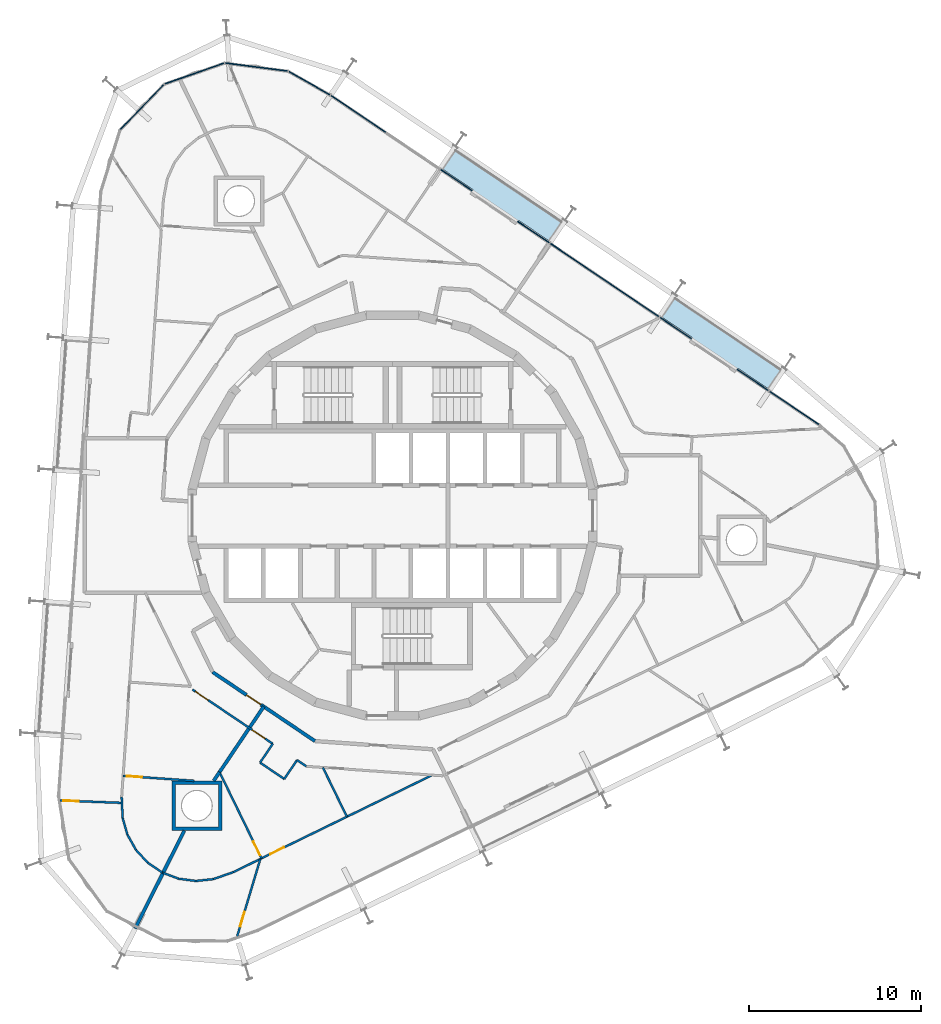
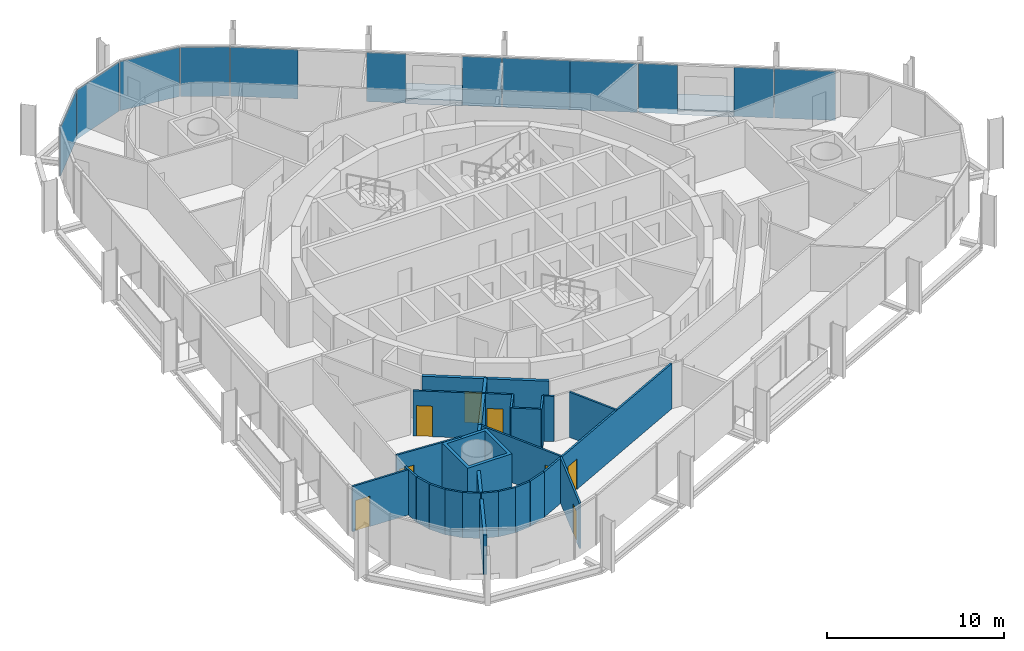
# One storey, part 11 of 18: 25 walls, 12 plates, 8 doors, 2 slabs, 8 openings, 3 elements without a shape of their own.
"""IFC4 building model written with IfcOpenShell, lengths in metres."""

from ifc_helpers import new_model, si_unit, direction, frame, frame_2d, origin, origin_2d, place, context, subcontext, project, spatial, polyline, rectangle, outline, extrude, material, layer, layer_set, type_object, element, fill, aggregate, save


model = new_model("IFC4")

# Units and contexts
model_context = context("Model", 3, precision=1e-05, world=origin(), true_north=direction((0.0, 1.0)))
body_context = subcontext(model_context, "Body", "Model", "MODEL_VIEW")
ifc_project = project(units=[si_unit("LENGTHUNIT", "METRE"), si_unit("AREAUNIT", "SQUARE_METRE"), si_unit("VOLUMEUNIT", "CUBIC_METRE"), si_unit("PLANEANGLEUNIT", "RADIAN"), si_unit("MASSUNIT", "GRAM", prefix="KILO")], contexts=[model_context])

# Site, building, storey
site_placement = place(None, origin())
site = spatial("IfcSite", under=ifc_project, at=site_placement, CompositionType="ELEMENT")
building_placement = place(site_placement, origin())
building = spatial("IfcBuilding", under=site, at=building_placement, Name="Spindle Arch Residences", CompositionType="ELEMENT")
storey_placement = place(building_placement, frame((0.0, 0.0, 198.89990234375)))
storey = spatial("IfcBuildingStorey", under=building, at=storey_placement, Name="L50", CompositionType="ELEMENT", Elevation=198.89990234375)

# Slabs
ifc_material_1 = material(Name="Concrete C40/50", Category="concrete")
ifc_layer_1 = layer(ifc_material_1, 0.3798828125)
ifc_layer_set_1 = layer_set([ifc_layer_1], Name="Balcony slab 380")
slab_type = type_object("IfcSlabType", Name="Balcony slab 380", PredefinedType="FLOOR", material=ifc_layer_set_1)
slab_1_placement = place(storey_placement, frame((0.0, 0.0, -0.3798828125)))
element("IfcSlab", 1, at=slab_1_placement, inside=storey, type_object=slab_type, Name="Balcony L50 bay 6", PredefinedType="FLOOR", context=body_context, shape_type="SweptSolid", body=[
    extrude(outline(polyline([(22.720703125, 8.594970703125), (22.658447265625, 8.63671875), (22.57470703125, 8.512451171875), (16.445068359375, 12.64697265625), (16.52880859375, 12.771240234375), (16.466796875, 12.813232421875), (15.633544921875, 11.578125), (17.43408203125, 10.363525390625), (17.344482421875, 10.23095703125), (19.99755859375, 8.44140625), (20.0869140625, 8.57421875), (21.887451171875, 7.359619140625), (22.720703125, 8.594970703125)])), origin(), (0.0, 0.0, 1.0), 0.3798828125),
])
slab_2_placement = place(storey_placement, frame((0.0, 0.0, -0.3798828125)))
element("IfcSlab", 2, at=slab_2_placement, inside=storey, type_object=slab_type, Name="Balcony L50 bay 8", PredefinedType="FLOOR", context=body_context, shape_type="SweptSolid", body=[
    extrude(outline(polyline([(9.9638671875, 17.199462890625), (9.90185546875, 17.241455078125), (9.81787109375, 17.116943359375), (3.688232421875, 21.25146484375), (3.772216796875, 21.3759765625), (3.7099609375, 21.417724609375), (2.876708984375, 20.1826171875), (4.67724609375, 18.968017578125), (4.587890625, 18.83544921875), (7.24072265625, 17.0458984375), (7.330322265625, 17.1787109375), (9.130859375, 15.964111328125), (9.9638671875, 17.199462890625)])), origin(), (0.0, 0.0, 1.0), 0.3798828125),
])

# Curtain wall, plate
ifc_material_2 = material(Name="Aluminium bronze unitised frame with tinted glass", Category="aluminium")
ifc_layer_2 = layer(ifc_material_2, 0.159912109375)
ifc_layer_set_2 = layer_set([ifc_layer_2], Name="CW-D corner wall on the fillet arcs")
curtain_wall_type_1 = type_object("IfcCurtainWallType", Name="CW-D corner wall on the fillet arcs", PredefinedType="NOTDEFINED", material=ifc_layer_set_2)
curtain_wall_1_placement = place(storey_placement, origin())
curtain_wall_1 = element("IfcCurtainWall", 3, at=curtain_wall_1_placement, inside=storey, type_object=curtain_wall_type_1, Name="CW-D L50 run 1", PredefinedType="NOTDEFINED")
ifc_material_3 = material(Name="Tinted double glazing over aluminium faced non-combustible spandrel zone (K0)", Category="aluminium")
ifc_layer_3 = layer(ifc_material_3, 0.06005859375)
ifc_layer_set_3 = layer_set([ifc_layer_3], Name="Unitised glass panel with E 60 spandrel zone")
plate_type = type_object("IfcPlateType", Name="Unitised glass panel with E 60 spandrel zone", PredefinedType="CURTAIN_PANEL", material=ifc_layer_set_3)
plate_1_placement = place(storey_placement, frame((23.36767578125, 6.264892578125, -0.3798828125), z_axis=(0.0, 0.0, 1.0), x_axis=(-0.829037572555, 0.559192903471, 0.0)))
plate_1 = element("IfcPlate", 4, at=plate_1_placement, type_object=plate_type, Name="CW-D unit 06", PredefinedType="CURTAIN_PANEL", context=body_context, shape_type="SweptSolid", body=[
    extrude(rectangle(XDim=3.468505859375, YDim=0.06005859375, at=origin_2d()), origin(), (0.0, 0.0, 1.0), 3.3798828125),
])
aggregate(curtain_wall_1, [plate_1])

# Curtain wall, plates
ifc_material_4 = material(Name="Aluminium bronze unitised frame with tinted glass", Category="aluminium")
ifc_layer_4 = layer(ifc_material_4, 0.159912109375)
ifc_layer_set_4 = layer_set([ifc_layer_4], Name="CW-C typical residential unitised wall")
curtain_wall_type_2 = type_object("IfcCurtainWallType", Name="CW-C typical residential unitised wall", PredefinedType="NOTDEFINED", material=ifc_layer_set_4)
curtain_wall_2_placement = place(storey_placement, origin())
curtain_wall_2 = element("IfcCurtainWall", 5, at=curtain_wall_2_placement, inside=storey, type_object=curtain_wall_type_2, Name="CW-C L50 run 2", PredefinedType="NOTDEFINED")
plate_2_placement = place(storey_placement, frame((20.961181640625, 7.887939453125, -0.3798828125), z_axis=(0.0, 0.0, 1.0), x_axis=(-0.829037572555, 0.559192903471, 0.0)))
plate_2 = element("IfcPlate", 6, at=plate_2_placement, type_object=plate_type, Name="CW-C unit 05L", PredefinedType="CURTAIN_PANEL", context=body_context, shape_type="SweptSolid", body=[
    extrude(rectangle(XDim=2.216796875, YDim=0.06005859375, at=origin_2d()), origin(), (0.0, 0.0, 1.0), 3.3798828125),
])
plate_3_placement = place(storey_placement, frame((16.470458984375, 10.9169921875, -0.3798828125), z_axis=(0.0, 0.0, 1.0), x_axis=(-0.829037572555, 0.559192903471, 0.0)))
plate_3 = element("IfcPlate", 7, at=plate_3_placement, type_object=plate_type, Name="CW-C unit 05R", PredefinedType="CURTAIN_PANEL", context=body_context, shape_type="SweptSolid", body=[
    extrude(rectangle(XDim=2.216796875, YDim=0.06005859375, at=origin_2d()), origin(), (0.0, 0.0, 1.0), 3.3798828125),
])
plate_4_placement = place(storey_placement, frame((13.919677734375, 12.6376953125, -0.3798828125), z_axis=(0.0, 0.0, 1.0), x_axis=(-0.829037572555, 0.559192903471, 0.0)))
plate_4 = element("IfcPlate", 8, at=plate_4_placement, type_object=plate_type, Name="CW-C unit 06A", PredefinedType="CURTAIN_PANEL", context=body_context, shape_type="SweptSolid", body=[
    extrude(rectangle(XDim=3.81689453125, YDim=0.06005859375, at=origin_2d()), origin(), (0.0, 0.0, 1.0), 3.3798828125),
])
plate_5_placement = place(storey_placement, frame((10.75537109375, 14.77197265625, -0.3798828125), z_axis=(0.0, 0.0, 1.0), x_axis=(-0.829037572555, 0.559192903471, 0.0)))
plate_5 = element("IfcPlate", 9, at=plate_5_placement, type_object=plate_type, Name="CW-C unit 06B", PredefinedType="CURTAIN_PANEL", context=body_context, shape_type="SweptSolid", body=[
    extrude(rectangle(XDim=3.81689453125, YDim=0.06005859375, at=origin_2d()), origin(), (0.0, 0.0, 1.0), 3.3798828125),
])
plate_6_placement = place(storey_placement, frame((8.204345703125, 16.492431640625, -0.3798828125), z_axis=(0.0, 0.0, 1.0), x_axis=(-0.829037572555, 0.559192903471, 0.0)))
plate_6 = element("IfcPlate", 10, at=plate_6_placement, type_object=plate_type, Name="CW-C unit 07L", PredefinedType="CURTAIN_PANEL", context=body_context, shape_type="SweptSolid", body=[
    extrude(rectangle(XDim=2.216796875, YDim=0.06005859375, at=origin_2d()), origin(), (0.0, 0.0, 1.0), 3.3798828125),
])
plate_7_placement = place(storey_placement, frame((3.713623046875, 19.521484375, -0.3798828125), z_axis=(0.0, 0.0, 1.0), x_axis=(-0.829037572555, 0.559192903471, 0.0)))
plate_7 = element("IfcPlate", 11, at=plate_7_placement, type_object=plate_type, Name="CW-C unit 07R", PredefinedType="CURTAIN_PANEL", context=body_context, shape_type="SweptSolid", body=[
    extrude(rectangle(XDim=2.216796875, YDim=0.06005859375, at=origin_2d()), origin(), (0.0, 0.0, 1.0), 3.3798828125),
])
plate_8_placement = place(storey_placement, frame((-2.00146484375, 23.37646484375, -0.3798828125), z_axis=(0.0, 0.0, 1.0), x_axis=(-0.829037572555, 0.559192903471, 0.0)))
plate_8 = element("IfcPlate", 12, at=plate_8_placement, type_object=plate_type, Name="CW-C unit 08B", PredefinedType="CURTAIN_PANEL", context=body_context, shape_type="SweptSolid", body=[
    extrude(rectangle(XDim=3.81689453125, YDim=0.06005859375, at=origin_2d()), origin(), (0.0, 0.0, 1.0), 3.3798828125),
])
aggregate(curtain_wall_2, [plate_2, plate_3, plate_4, plate_5, plate_6, plate_7, plate_8])

curtain_wall_3_placement = place(storey_placement, origin())
curtain_wall_3 = element("IfcCurtainWall", 13, at=curtain_wall_3_placement, inside=storey, type_object=curtain_wall_type_1, Name="CW-D L50 run 3", PredefinedType="NOTDEFINED")
plate_9_placement = place(storey_placement, frame((-4.84130859375, 25.16064453125, -0.3798828125), z_axis=(0.0, 0.0, 1.0), x_axis=(-0.86953871595, 0.493864780547, 0.0)))
plate_9 = element("IfcPlate", 14, at=plate_9_placement, type_object=plate_type, Name="CW-D unit 00", PredefinedType="CURTAIN_PANEL", context=body_context, shape_type="SweptSolid", body=[
    extrude(rectangle(XDim=2.775634765625, YDim=0.06005859375, at=origin_2d()), origin(), (0.0, 0.0, 1.0), 3.3798828125),
])
plate_10_placement = place(storey_placement, frame((-7.92236328125, 26.0986328125, -0.3798828125), z_axis=(0.0, 0.0, 1.0), x_axis=(-0.991820351023, 0.127641651888, 0.0)))
plate_10 = element("IfcPlate", 15, at=plate_10_placement, type_object=plate_type, Name="CW-D unit 01", PredefinedType="CURTAIN_PANEL", context=body_context, shape_type="SweptSolid", body=[
    extrude(rectangle(XDim=3.666748046875, YDim=0.06005859375, at=origin_2d()), origin(), (0.0, 0.0, 1.0), 3.3798828125),
])
plate_11_placement = place(storey_placement, frame((-11.52880859375, 25.7197265625, -0.3798828125), z_axis=(0.0, 0.0, 1.0), x_axis=(-0.943608508302, -0.331063412445, 0.0)))
plate_11 = element("IfcPlate", 16, at=plate_11_placement, type_object=plate_type, Name="CW-D unit 02", PredefinedType="CURTAIN_PANEL", context=body_context, shape_type="SweptSolid", body=[
    extrude(rectangle(XDim=3.666748046875, YDim=0.06005859375, at=origin_2d()), origin(), (0.0, 0.0, 1.0), 3.3798828125),
])
plate_12_placement = place(storey_placement, frame((-14.58154296875, 23.762451171875, -0.3798828125), z_axis=(0.0, 0.0, 1.0), x_axis=(-0.694658368802, -0.719339801939, 0.0)))
plate_12 = element("IfcPlate", 17, at=plate_12_placement, type_object=plate_type, Name="CW-D unit 03", PredefinedType="CURTAIN_PANEL", context=body_context, shape_type="SweptSolid", body=[
    extrude(rectangle(XDim=3.666748046875, YDim=0.06005859375, at=origin_2d()), origin(), (0.0, 0.0, 1.0), 3.3798828125),
])
aggregate(curtain_wall_3, [plate_9, plate_10, plate_11, plate_12])

# Wall, opening, door
ifc_material_5 = material(Name="Calcium silicate block, plastered")
ifc_layer_5 = layer(ifc_material_5, 0.199951171875)
ifc_layer_set_5 = layer_set([ifc_layer_5], Name="Corridor wall 200")
wall_type_1 = type_object("IfcWallType", Name="Corridor wall 200", PredefinedType="STANDARD", material=ifc_layer_set_5)
wall_1_placement = place(storey_placement, frame((-10.469970703125, -9.101318359375, 0.0), z_axis=(0.0, 0.0, 1.0), x_axis=(0.829035841718, -0.559195469534, 0.0)))
wall_1 = element("IfcWall", 18, at=wall_1_placement, inside=storey, type_object=wall_type_1, Name="Corridor wall R5B1-W017", PredefinedType="STANDARD", context=body_context, shape_type="SweptSolid", body=[
    extrude(rectangle(XDim=7.18115234375, YDim=0.199951171875, at=frame_2d((3.590576171875, 0.0))), origin(), (0.0, 0.0, 1.0), 3.1201171875),
])
opening_1_placement = place(wall_1_placement, frame((2.390380859375, 0.0, 0.0)))
opening_1 = element("IfcOpeningElement", 19, at=opening_1_placement, cuts=wall_1, Name="Opening R5B1-FD04", PredefinedType="OPENING", context=body_context, shape_type="SweptSolid", body=[
    extrude(rectangle(XDim=1.0, YDim=2.10009765625, at=frame_2d((0.5, 1.050048828125))), frame((0.0, 0.10986328125, 0.0), z_axis=(0.0, -1.0, 0.0), x_axis=(1.0, 0.0, 0.0)), (0.0, 0.0, 1.0), 0.219970703125),
])
ifc_material_6 = material(Name="Timber, fire-resisting door set", Category="wood")
door_type_1 = type_object("IfcDoorType", Name="Flat entrance door 1000x2100", OperationType="NOTDEFINED", PredefinedType="DOOR", material=ifc_material_6)
door_1_placement = place(opening_1_placement, origin())
door_1 = element("IfcDoor", 20, at=door_1_placement, inside=storey, type_object=door_type_1, Name="Flat entrance door R5B1-FD04", OperationType="SINGLE_SWING_RIGHT", OverallHeight=2.10009765625, OverallWidth=1.0, PredefinedType="DOOR", context=body_context, shape_type="SweptSolid", body=[
    extrude(rectangle(XDim=1.0, YDim=2.10009765625, at=frame_2d((0.5, 1.050048828125))), frame((0.0, 0.02490234375, 0.0), z_axis=(0.0, -1.0, 0.0), x_axis=(1.0, 0.0, 0.0)), (0.0, 0.0, 1.0), 0.050048828125),
])
fill(opening_1, door_1)

# Wall, openings, doors
ifc_material_7 = material(Name="Plasterboard on steel studs", Category="steel")
ifc_layer_6 = layer(ifc_material_7, 0.1201171875)
ifc_layer_set_6 = layer_set([ifc_layer_6], Name="Flat partition 120")
wall_type_2 = type_object("IfcWallType", Name="Flat partition 120", PredefinedType="PARTITIONING", material=ifc_layer_set_6)
wall_2_placement = place(storey_placement, frame((-11.641845703125, -10.1201171875, 0.0), z_axis=(0.0, 0.0, 1.0), x_axis=(0.829033377599, -0.559199122698, 0.0)))
wall_2 = element("IfcWall", 21, at=wall_2_placement, inside=storey, type_object=wall_type_2, Name="Flat partition R5B1-W077", PredefinedType="PARTITIONING", context=body_context, shape_type="SweptSolid", body=[
    extrude(rectangle(XDim=5.6376953125, YDim=0.1201171875, at=frame_2d((2.81884765625, 0.0))), origin(), (0.0, 0.0, 1.0), 3.1201171875),
])
opening_2_placement = place(wall_2_placement, frame((0.199951171875, 0.0, 0.0)))
opening_2 = element("IfcOpeningElement", 22, at=opening_2_placement, cuts=wall_2, Name="Opening R5B1-ID14", PredefinedType="OPENING", context=body_context, shape_type="SweptSolid", body=[
    extrude(rectangle(XDim=0.89990234375, YDim=2.10009765625, at=frame_2d((0.449951171875, 1.050048828125))), frame((0.0, 0.070068359375, 0.0), z_axis=(0.0, -1.0, 0.0), x_axis=(1.0, 0.0, 0.0)), (0.0, 0.0, 1.0), 0.14013671875),
])
opening_3_placement = place(wall_2_placement, frame((4.1923828125, 0.0, 0.0)))
opening_3 = element("IfcOpeningElement", 23, at=opening_3_placement, cuts=wall_2, Name="Opening R5B1-ID18", PredefinedType="OPENING", context=body_context, shape_type="SweptSolid", body=[
    extrude(rectangle(XDim=0.89990234375, YDim=2.10009765625, at=frame_2d((0.449951171875, 1.050048828125))), frame((0.0, 0.070068359375, 0.0), z_axis=(0.0, -1.0, 0.0), x_axis=(1.0, 0.0, 0.0)), (0.0, 0.0, 1.0), 0.14013671875),
])
ifc_material_8 = material(Name="Timber door set", Category="wood")
door_type_2 = type_object("IfcDoorType", Name="Room door 900x2100", OperationType="NOTDEFINED", PredefinedType="DOOR", material=ifc_material_8)
door_2_placement = place(opening_2_placement, origin())
door_2 = element("IfcDoor", 24, at=door_2_placement, inside=storey, type_object=door_type_2, Name="Room door R5B1-ID14", OperationType="SINGLE_SWING_RIGHT", OverallHeight=2.10009765625, OverallWidth=0.89990234375, PredefinedType="DOOR", context=body_context, shape_type="SweptSolid", body=[
    extrude(rectangle(XDim=0.89990234375, YDim=2.10009765625, at=frame_2d((0.449951171875, 1.050048828125))), frame((0.0, 0.02490234375, 0.0), z_axis=(0.0, -1.0, 0.0), x_axis=(1.0, 0.0, 0.0)), (0.0, 0.0, 1.0), 0.050048828125),
])
fill(opening_2, door_2)
door_3_placement = place(opening_3_placement, origin())
door_3 = element("IfcDoor", 25, at=door_3_placement, inside=storey, type_object=door_type_2, Name="Room door R5B1-ID18", OperationType="SINGLE_SWING_LEFT", OverallHeight=2.10009765625, OverallWidth=0.89990234375, PredefinedType="DOOR", context=body_context, shape_type="SweptSolid", body=[
    extrude(rectangle(XDim=0.89990234375, YDim=2.10009765625, at=frame_2d((0.449951171875, 1.050048828125))), frame((0.0, 0.02490234375, 0.0), z_axis=(0.0, -1.0, 0.0), x_axis=(1.0, 0.0, 0.0)), (0.0, 0.0, 1.0), 0.050048828125),
])
fill(opening_3, door_3)

# Wall, opening, door
wall_3_placement = place(storey_placement, frame((-19.354736328125, -16.5751953125, 0.0), z_axis=(0.0, 0.0, 1.0), x_axis=(0.999268343647, -0.038246272823, 0.0)))
wall_3 = element("IfcWall", 26, at=wall_3_placement, inside=storey, type_object=wall_type_2, Name="Flat partition R5B1-W080", PredefinedType="PARTITIONING", context=body_context, shape_type="SweptSolid", body=[
    extrude(rectangle(XDim=3.613037109375, YDim=0.1201171875, at=frame_2d((1.806640625, 0.0))), origin(), (0.0, 0.0, 1.0), 3.1201171875),
])
opening_4_placement = place(wall_3_placement, frame((0.199951171875, 0.0, 0.0)))
opening_4 = element("IfcOpeningElement", 27, at=opening_4_placement, cuts=wall_3, Name="Opening R5B1-ID17", PredefinedType="OPENING", context=body_context, shape_type="SweptSolid", body=[
    extrude(rectangle(XDim=0.89990234375, YDim=2.10009765625, at=frame_2d((0.449951171875, 1.050048828125))), frame((0.0, 0.070068359375, 0.0), z_axis=(0.0, -1.0, 0.0), x_axis=(1.0, 0.0, 0.0)), (0.0, 0.0, 1.0), 0.14013671875),
])
door_4_placement = place(opening_4_placement, origin())
door_4 = element("IfcDoor", 28, at=door_4_placement, inside=storey, type_object=door_type_2, Name="Room door R5B1-ID17", OperationType="SINGLE_SWING_RIGHT", OverallHeight=2.10009765625, OverallWidth=0.89990234375, PredefinedType="DOOR", context=body_context, shape_type="SweptSolid", body=[
    extrude(rectangle(XDim=0.89990234375, YDim=2.10009765625, at=frame_2d((0.449951171875, 1.050048828125))), frame((0.0, 0.02490234375, 0.0), z_axis=(0.0, -1.0, 0.0), x_axis=(1.0, 0.0, 0.0)), (0.0, 0.0, 1.0), 0.050048828125),
])
fill(opening_4, door_4)

# Wall
wall_4_placement = place(storey_placement, frame((-15.70361328125, -17.590087890625, 0.0), z_axis=(0.0, 0.0, 1.0), x_axis=(-0.046364428258, 0.998924591645, 0.0)))
element("IfcWall", 29, at=wall_4_placement, inside=storey, type_object=wall_type_2, Name="Flat partition R5B1-W081", PredefinedType="PARTITIONING", context=body_context, shape_type="SweptSolid", body=[
    extrude(rectangle(XDim=1.226806640625, YDim=0.1201171875, at=frame_2d((0.61328125, 0.0))), origin(), (0.0, 0.0, 1.0), 3.1201171875),
])

# Wall, opening, door
wall_5_placement = place(storey_placement, frame((-15.675048828125, -15.14111328125, 0.0), z_axis=(0.0, 0.0, 1.0), x_axis=(0.997563107735, -0.06976995117, 0.0)))
wall_5 = element("IfcWall", 30, at=wall_5_placement, inside=storey, type_object=wall_type_2, Name="Flat partition R5B1-W082", PredefinedType="PARTITIONING", context=body_context, shape_type="SweptSolid", body=[
    extrude(rectangle(XDim=4.146484375, YDim=0.1201171875, at=frame_2d((2.0732421875, 0.0))), origin(), (0.0, 0.0, 1.0), 3.1201171875),
])
opening_5_placement = place(wall_5_placement, frame((0.199951171875, 0.0, 0.0)))
opening_5 = element("IfcOpeningElement", 31, at=opening_5_placement, cuts=wall_5, Name="Opening R5B1-ID16", PredefinedType="OPENING", context=body_context, shape_type="SweptSolid", body=[
    extrude(rectangle(XDim=0.89990234375, YDim=2.10009765625, at=frame_2d((0.449951171875, 1.050048828125))), frame((0.0, 0.070068359375, 0.0), z_axis=(0.0, -1.0, 0.0), x_axis=(1.0, 0.0, 0.0)), (0.0, 0.0, 1.0), 0.14013671875),
])
door_5_placement = place(opening_5_placement, origin())
door_5 = element("IfcDoor", 32, at=door_5_placement, inside=storey, type_object=door_type_2, Name="Room door R5B1-ID16", OperationType="SINGLE_SWING_RIGHT", OverallHeight=2.10009765625, OverallWidth=0.89990234375, PredefinedType="DOOR", context=body_context, shape_type="SweptSolid", body=[
    extrude(rectangle(XDim=0.89990234375, YDim=2.10009765625, at=frame_2d((0.449951171875, 1.050048828125))), frame((0.0, 0.02490234375, 0.0), z_axis=(0.0, -1.0, 0.0), x_axis=(1.0, 0.0, 0.0)), (0.0, 0.0, 1.0), 0.050048828125),
])
fill(opening_5, door_5)

# Walls
for number, where, z_axis, x_axis, name in (
    (33, (-13.39501953125, -20.767333984375, 0.0), (0.0, 0.0, 1.0), (-0.829155030747, 0.559018725077, 0.0), "Flat partition R5B1-W083"),
    (34, (-14.2373046875, -20.199462890625, 0.0), (0.0, 0.0, 1.0), (-0.677681015856, 0.735355995929, 0.0), "Flat partition R5B1-W084"),
):
    element("IfcWall", number, at=place(storey_placement, frame(where, z_axis=z_axis, x_axis=x_axis)), inside=storey, type_object=wall_type_2, Name=name, PredefinedType="PARTITIONING", context=body_context, shape_type="SweptSolid", body=[
        extrude(rectangle(XDim=1.015869140625, YDim=0.1201171875, at=frame_2d((0.5078125, 0.0))), origin(), (0.0, 0.0, 1.0), 3.1201171875),
    ])
wall_6_placement = place(storey_placement, frame((-14.92578125, -19.452392578125, 0.0), z_axis=(0.0, 0.0, 1.0), x_axis=(-0.489941776958, 0.871755157823, 0.0)))
element("IfcWall", 35, at=wall_6_placement, inside=storey, type_object=wall_type_2, Name="Flat partition R5B1-W085", PredefinedType="PARTITIONING", context=body_context, shape_type="SweptSolid", body=[
    extrude(rectangle(XDim=1.01611328125, YDim=0.1201171875, at=frame_2d((0.508056640625, 0.0))), origin(), (0.0, 0.0, 1.0), 3.1201171875),
])
wall_7_placement = place(storey_placement, frame((-15.423583984375, -18.566650390625, 0.0), z_axis=(0.0, 0.0, 1.0), x_axis=(-0.275641454312, 0.961260520704, 0.0)))
element("IfcWall", 36, at=wall_7_placement, inside=storey, type_object=wall_type_2, Name="Flat partition R5B1-W086", PredefinedType="PARTITIONING", context=body_context, shape_type="SweptSolid", body=[
    extrude(rectangle(XDim=1.015869140625, YDim=0.1201171875, at=frame_2d((0.5078125, 0.0))), origin(), (0.0, 0.0, 1.0), 3.1201171875),
])
wall_8_placement = place(storey_placement, frame((-6.968017578125, -13.272705078125, 0.0), z_axis=(0.0, 0.0, 1.0), x_axis=(-0.559283007371, -0.828976789582, 0.0)))
element("IfcWall", 37, at=wall_8_placement, inside=storey, type_object=wall_type_2, Name="Flat partition R5B1-W087", PredefinedType="PARTITIONING", context=body_context, shape_type="SweptSolid", body=[
    extrude(rectangle(XDim=1.3251953125, YDim=0.1201171875, at=frame_2d((0.66259765625, 0.0))), origin(), (0.0, 0.0, 1.0), 3.1201171875),
])
wall_9_placement = place(storey_placement, frame((-7.709228515625, -14.371337890625, 0.0), z_axis=(0.0, 0.0, 1.0), x_axis=(0.829033422808, -0.559199055675, 0.0)))
element("IfcWall", 38, at=wall_9_placement, inside=storey, type_object=wall_type_2, Name="Flat partition R5B1-W088", PredefinedType="PARTITIONING", context=body_context, shape_type="SweptSolid", body=[
    extrude(rectangle(XDim=1.7001953125, YDim=0.1201171875, at=frame_2d((0.85009765625, 0.0))), origin(), (0.0, 0.0, 1.0), 3.1201171875),
])
wall_10_placement = place(storey_placement, frame((-6.2998046875, -15.322021484375, 0.0), z_axis=(0.0, 0.0, 1.0), x_axis=(0.559197608403, 0.829034399019, 0.0)))
element("IfcWall", 39, at=wall_10_placement, inside=storey, type_object=wall_type_2, Name="Flat partition R5B1-W089", PredefinedType="PARTITIONING", context=body_context, shape_type="SweptSolid", body=[
    extrude(rectangle(XDim=1.325439453125, YDim=0.1201171875, at=frame_2d((0.66259765625, 0.0))), origin(), (0.0, 0.0, 1.0), 3.1201171875),
])
wall_11_placement = place(storey_placement, frame((-5.55859375, -14.22314453125, 0.0), z_axis=(0.0, 0.0, 1.0), x_axis=(0.828844300469, -0.559479334363, 0.0)))
element("IfcWall", 40, at=wall_11_placement, inside=storey, type_object=wall_type_2, Name="Flat partition R5B1-W090", PredefinedType="PARTITIONING", context=body_context, shape_type="SweptSolid", body=[
    extrude(rectangle(XDim=0.647216796875, YDim=0.1201171875, at=frame_2d((0.32373046875, 0.0))), origin(), (0.0, 0.0, 1.0), 3.1201171875),
])
wall_12_placement = place(storey_placement, frame((-13.351318359375, -20.783935546875, 0.0), z_axis=(0.0, 0.0, 1.0), x_axis=(0.935644105077, -0.352944908781, 0.0)))
element("IfcWall", 41, at=wall_12_placement, inside=storey, type_object=wall_type_2, Name="Flat partition R5B1-W093", PredefinedType="PARTITIONING", context=body_context, shape_type="SweptSolid", body=[
    extrude(rectangle(XDim=0.968994140625, YDim=0.1201171875, at=frame_2d((0.484375, 0.0))), origin(), (0.0, 0.0, 1.0), 3.1201171875),
])
wall_13_placement = place(storey_placement, frame((-12.444580078125, -21.1259765625, 0.0), z_axis=(0.0, 0.0, 1.0), x_axis=(0.991824046735, -0.127612931625, 0.0)))
element("IfcWall", 42, at=wall_13_placement, inside=storey, type_object=wall_type_2, Name="Flat partition R5B1-W094", PredefinedType="PARTITIONING", context=body_context, shape_type="SweptSolid", body=[
    extrude(rectangle(XDim=1.015869140625, YDim=0.1201171875, at=frame_2d((0.5078125, 0.0))), origin(), (0.0, 0.0, 1.0), 3.1201171875),
])
wall_14_placement = place(storey_placement, frame((-11.43701171875, -21.255615234375, 0.0), z_axis=(0.0, 0.0, 1.0), x_axis=(0.994522555527, 0.104522182086, 0.0)))
element("IfcWall", 43, at=wall_14_placement, inside=storey, type_object=wall_type_2, Name="Flat partition R5B1-W095", PredefinedType="PARTITIONING", context=body_context, shape_type="SweptSolid", body=[
    extrude(rectangle(XDim=1.01611328125, YDim=0.1201171875, at=frame_2d((0.508056640625, 0.0))), origin(), (0.0, 0.0, 1.0), 3.1201171875),
])
wall_15_placement = place(storey_placement, frame((-10.426513671875, -21.1494140625, 0.0), z_axis=(0.0, 0.0, 1.0), x_axis=(0.943591256744, 0.331112579338, 0.0)))
element("IfcWall", 44, at=wall_15_placement, inside=storey, type_object=wall_type_2, Name="Flat partition R5B1-W096", PredefinedType="PARTITIONING", context=body_context, shape_type="SweptSolid", body=[
    extrude(rectangle(XDim=1.226806640625, YDim=0.1201171875, at=frame_2d((0.61328125, 0.0))), origin(), (0.0, 0.0, 1.0), 3.1201171875),
])

# Wall, opening, door
wall_16_placement = place(storey_placement, frame((-9.268798828125, -20.7431640625, 0.0), z_axis=(0.0, 0.0, 1.0), x_axis=(0.898796865831, 0.438365365846, 0.0)))
wall_16 = element("IfcWall", 45, at=wall_16_placement, inside=storey, type_object=wall_type_2, Name="Flat partition R5B1-W097", PredefinedType="PARTITIONING", context=body_context, shape_type="SweptSolid", body=[
    extrude(rectangle(XDim=12.878662109375, YDim=0.1201171875, at=frame_2d((6.439453125, 0.0))), origin(), (0.0, 0.0, 1.0), 3.1201171875),
])
opening_6_placement = place(wall_16_placement, frame((2.39453125, 0.0, 0.0)))
opening_6 = element("IfcOpeningElement", 46, at=opening_6_placement, cuts=wall_16, Name="Opening R5B1-ID20", PredefinedType="OPENING", context=body_context, shape_type="SweptSolid", body=[
    extrude(rectangle(XDim=0.89990234375, YDim=2.10009765625, at=frame_2d((0.449951171875, 1.050048828125))), frame((0.0, 0.070068359375, 0.0), z_axis=(0.0, -1.0, 0.0), x_axis=(1.0, 0.0, 0.0)), (0.0, 0.0, 1.0), 0.14013671875),
])
door_6_placement = place(opening_6_placement, origin())
door_6 = element("IfcDoor", 47, at=door_6_placement, inside=storey, type_object=door_type_2, Name="Room door R5B1-ID20", OperationType="SINGLE_SWING_LEFT", OverallHeight=2.10009765625, OverallWidth=0.89990234375, PredefinedType="DOOR", context=body_context, shape_type="SweptSolid", body=[
    extrude(rectangle(XDim=0.89990234375, YDim=2.10009765625, at=frame_2d((0.449951171875, 1.050048828125))), frame((0.0, 0.02490234375, 0.0), z_axis=(0.0, -1.0, 0.0), x_axis=(1.0, 0.0, 0.0)), (0.0, 0.0, 1.0), 0.050048828125),
])
fill(opening_6, door_6)

wall_17_placement = place(storey_placement, frame((-7.619873046875, -19.93896484375, 0.0), z_axis=(0.0, 0.0, 1.0), x_axis=(-0.438353807908, 0.89880250283, 0.0)))
wall_17 = element("IfcWall", 48, at=wall_17_placement, inside=storey, type_object=wall_type_2, Name="Flat partition R5B1-W098", PredefinedType="PARTITIONING", context=body_context, shape_type="SweptSolid", body=[
    extrude(rectangle(XDim=5.580078125, YDim=0.1201171875, at=frame_2d((2.7900390625, 0.0))), origin(), (0.0, 0.0, 1.0), 3.1201171875),
])
opening_7_placement = place(wall_17_placement, frame((0.199951171875, 0.0, 0.0)))
opening_7 = element("IfcOpeningElement", 49, at=opening_7_placement, cuts=wall_17, Name="Opening R5B1-ID19", PredefinedType="OPENING", context=body_context, shape_type="SweptSolid", body=[
    extrude(rectangle(XDim=0.89990234375, YDim=2.10009765625, at=frame_2d((0.449951171875, 1.050048828125))), frame((0.0, 0.070068359375, 0.0), z_axis=(0.0, -1.0, 0.0), x_axis=(1.0, 0.0, 0.0)), (0.0, 0.0, 1.0), 0.14013671875),
])
door_7_placement = place(opening_7_placement, origin())
door_7 = element("IfcDoor", 50, at=door_7_placement, inside=storey, type_object=door_type_2, Name="Room door R5B1-ID19", OperationType="SINGLE_SWING_LEFT", OverallHeight=2.10009765625, OverallWidth=0.89990234375, PredefinedType="DOOR", context=body_context, shape_type="SweptSolid", body=[
    extrude(rectangle(XDim=0.89990234375, YDim=2.10009765625, at=frame_2d((0.449951171875, 1.050048828125))), frame((0.0, 0.02490234375, 0.0), z_axis=(0.0, -1.0, 0.0), x_axis=(1.0, 0.0, 0.0)), (0.0, 0.0, 1.0), 0.050048828125),
])
fill(opening_7, door_7)

wall_18_placement = place(storey_placement, frame((-9.041015625, -24.478515625, 0.0), z_axis=(0.0, 0.0, 1.0), x_axis=(0.286804727102, 0.957989064923, 0.0)))
wall_18 = element("IfcWall", 51, at=wall_18_placement, inside=storey, type_object=wall_type_2, Name="Flat partition R5B1-W099", PredefinedType="PARTITIONING", context=body_context, shape_type="SweptSolid", body=[
    extrude(rectangle(XDim=4.701416015625, YDim=0.1201171875, at=frame_2d((2.3505859375, 0.0))), origin(), (0.0, 0.0, 1.0), 3.1201171875),
])
opening_8_placement = place(wall_18_placement, frame((0.60009765625, 0.0, 0.0)))
opening_8 = element("IfcOpeningElement", 52, at=opening_8_placement, cuts=wall_18, Name="Opening R5B1-ID21", PredefinedType="OPENING", context=body_context, shape_type="SweptSolid", body=[
    extrude(rectangle(XDim=0.89990234375, YDim=2.10009765625, at=frame_2d((0.449951171875, 1.050048828125))), frame((0.0, 0.070068359375, 0.0), z_axis=(0.0, -1.0, 0.0), x_axis=(1.0, 0.0, 0.0)), (0.0, 0.0, 1.0), 0.14013671875),
])
door_8_placement = place(opening_8_placement, origin())
door_8 = element("IfcDoor", 53, at=door_8_placement, inside=storey, type_object=door_type_2, Name="Room door R5B1-ID21", OperationType="SINGLE_SWING_LEFT", OverallHeight=2.10009765625, OverallWidth=0.89990234375, PredefinedType="DOOR", context=body_context, shape_type="SweptSolid", body=[
    extrude(rectangle(XDim=0.89990234375, YDim=2.10009765625, at=frame_2d((0.449951171875, 1.050048828125))), frame((0.0, 0.02490234375, 0.0), z_axis=(0.0, -1.0, 0.0), x_axis=(1.0, 0.0, 0.0)), (0.0, 0.0, 1.0), 0.050048828125),
])
fill(opening_8, door_8)

# Walls
wall_19_placement = place(storey_placement, frame((-2.65673828125, -17.518310546875, 0.0), z_axis=(0.0, 0.0, 1.0), x_axis=(-0.438339139088, 0.898809656792, 0.0)))
element("IfcWall", 54, at=wall_19_placement, inside=storey, type_object=wall_type_2, Name="Flat partition R5B1-W100", PredefinedType="PARTITIONING", context=body_context, shape_type="SweptSolid", body=[
    extrude(rectangle(XDim=3.18798828125, YDim=0.1201171875, at=frame_2d((1.593994140625, 0.0))), origin(), (0.0, 0.0, 1.0), 3.1201171875),
])
ifc_material_9 = material(Name="Calcium silicate block, plastered")
ifc_layer_7 = layer(ifc_material_9, 0.199951171875)
ifc_layer_set_7 = layer_set([ifc_layer_7], Name="Flat party wall 200")
wall_type_3 = type_object("IfcWallType", Name="Flat party wall 200", PredefinedType="STANDARD", material=ifc_layer_set_7)
wall_20_placement = place(storey_placement, frame((-10.06591796875, -14.923583984375, 0.0), z_axis=(0.0, 0.0, 1.0), x_axis=(0.559173899945, 0.829050390278, 0.0)))
element("IfcWall", 55, at=wall_20_placement, inside=storey, type_object=wall_type_3, Name="Flat party wall R5B1-W034", PredefinedType="STANDARD", context=body_context, shape_type="SweptSolid", body=[
    extrude(rectangle(XDim=4.60107421875, YDim=0.199951171875, at=frame_2d((2.300537109375, 0.0))), origin(), (0.0, 0.0, 1.0), 3.1201171875),
])
wall_21_placement = place(storey_placement, frame((-10.407958984375, -15.430419921875, 0.0), z_axis=(0.0, 0.0, 1.0), x_axis=(0.559390561924, 0.828904215956, 0.0)))
element("IfcWall", 56, at=wall_21_placement, inside=storey, type_object=wall_type_3, Name="Flat party wall R5B1-W035", PredefinedType="STANDARD", context=body_context, shape_type="SweptSolid", body=[
    extrude(rectangle(XDim=0.611572265625, YDim=0.199951171875, at=frame_2d((0.3056640625, 0.0))), origin(), (0.0, 0.0, 1.0), 3.1201171875),
])
ifc_material_10 = material(Name="Calcium silicate block, plastered")
ifc_layer_8 = layer(ifc_material_10, 0.199951171875)
ifc_layer_set_8 = layer_set([ifc_layer_8], Name="Flat party wall 200 under beam 2730")
wall_type_4 = type_object("IfcWallType", Name="Flat party wall 200 under beam 2730", PredefinedType="STANDARD", material=ifc_layer_set_8)
wall_22_placement = place(storey_placement, frame((-14.9794921875, -24.017333984375, 0.0), z_axis=(0.0, 0.0, 1.0), x_axis=(0.449711952388, 0.893173644864, 0.0)))
element("IfcWall", 57, at=wall_22_placement, inside=storey, type_object=wall_type_4, Name="Flat party wall R5B1-W036", PredefinedType="STANDARD", context=body_context, shape_type="SweptSolid", body=[
    extrude(rectangle(XDim=6.366943359375, YDim=0.199951171875, at=frame_2d((3.18359375, 0.0))), origin(), (0.0, 0.0, 1.0), 2.72998046875),
])
ifc_material_11 = material(Name="Calcium silicate block, plastered")
ifc_layer_9 = layer(ifc_material_11, 0.199951171875)
ifc_layer_set_9 = layer_set([ifc_layer_9], Name="Mega-column casing wall 200")
wall_type_5 = type_object("IfcWallType", Name="Mega-column casing wall 200", PredefinedType="STANDARD", material=ifc_layer_set_9)
wall_23_placement = place(storey_placement, origin())
element("IfcWall", 58, at=wall_23_placement, inside=storey, type_object=wall_type_5, Name="Mega-column casing wall R5B1-WC02", PredefinedType="STANDARD", context=body_context, shape_type="SweptSolid", body=[
    extrude(outline(polyline([(-9.93603515625, -15.430419921875), (-9.93603515625, -18.33056640625), (-12.8359375, -18.33056640625), (-12.8359375, -15.430419921875), (-9.93603515625, -15.430419921875)]), holes=[polyline([(-12.635986328125, -18.130615234375), (-10.135986328125, -18.130615234375), (-10.135986328125, -15.630615234375), (-12.635986328125, -15.630615234375), (-12.635986328125, -18.130615234375)])]), origin(), (0.0, 0.0, 1.0), 3.1201171875),
])

save(model, "model.ifc")
